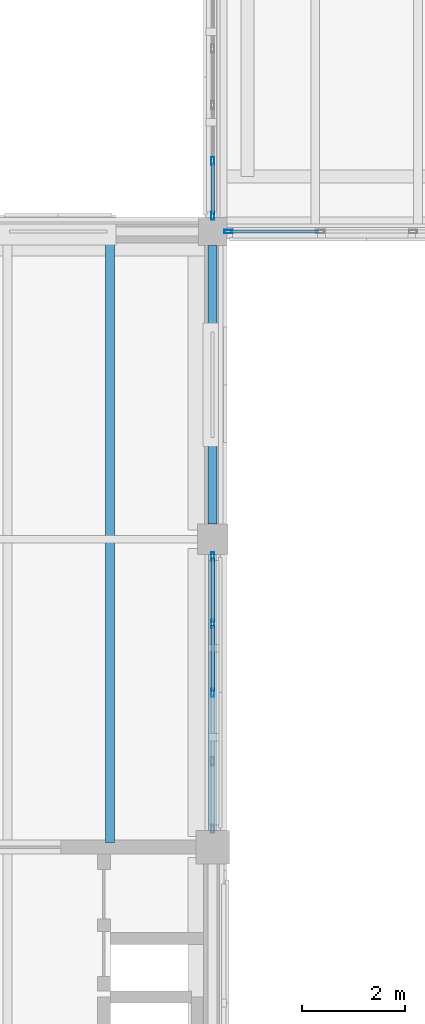
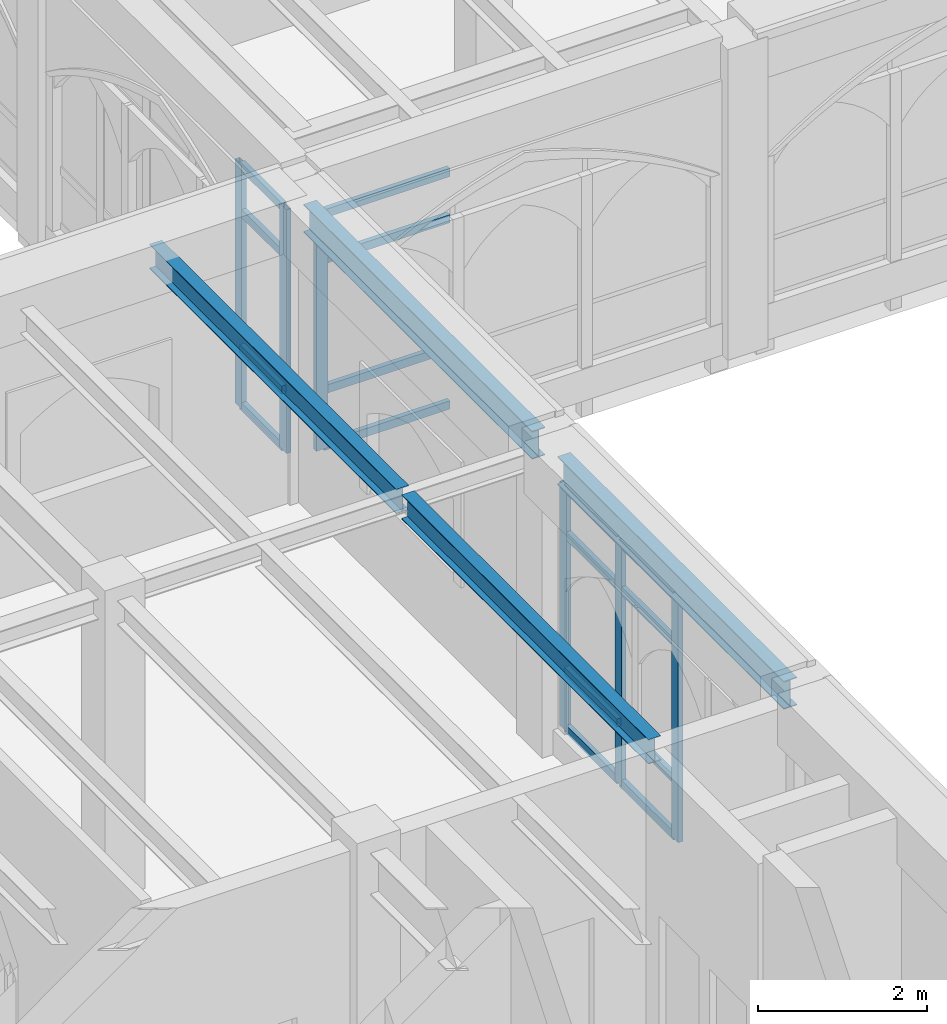
# One storey, part 20 of 143: 22 members, 4 beams, 3 elements without a shape of their own.
"""IFC4 building model written with IfcOpenShell, lengths in metres."""

from ifc_helpers import new_model, si_unit, direction, frame, origin, origin_2d, place, context, subcontext, project, spatial, hollow_rectangle, i_section, extrude, material, layer, layer_set, material_profile, profile_set, type_object, element, aggregate, save


model = new_model("IFC4")

# Units and contexts
model_context = context("Model", 3, precision=1e-05, world=origin(), true_north=direction((0.0, 1.0)))
body_context = subcontext(model_context, "Body", "Model", "MODEL_VIEW")
ifc_project = project(units=[si_unit("LENGTHUNIT", "METRE"), si_unit("AREAUNIT", "SQUARE_METRE"), si_unit("VOLUMEUNIT", "CUBIC_METRE"), si_unit("PLANEANGLEUNIT", "RADIAN"), si_unit("MASSUNIT", "GRAM", prefix="KILO")], contexts=[model_context])

# Site, building, storey
site_placement = place(None, origin())
site = spatial("IfcSite", under=ifc_project, at=site_placement, CompositionType="ELEMENT")
building_placement = place(site_placement, origin())
building = spatial("IfcBuilding", under=site, at=building_placement, Name="Cumevento Cable Car Station", CompositionType="ELEMENT")
storey_placement = place(building_placement, frame((0.0, 0.0, 9.0)))
storey = spatial("IfcBuildingStorey", under=building, at=storey_placement, Name="L03", CompositionType="ELEMENT", Elevation=9.0)

# Curtain wall, members
ifc_material_1 = material(Name="Anodised Bronze Aluminium AW-6063-T6", Category="aluminium")
ifc_layer_1 = layer(ifc_material_1, 0.23193359375)
ifc_layer_set_1 = layer_set([ifc_layer_1], Name="Anodised Bronze Aluminium AW-6063-T6")
curtain_wall_type_1 = type_object("IfcCurtainWallType", Name="Lancet Curtain Wall CW-13 1530", PredefinedType="NOTDEFINED", material=ifc_layer_set_1)
curtain_wall_1_placement = place(storey_placement, origin())
curtain_wall_1 = element("IfcCurtainWall", 1, at=curtain_wall_1_placement, inside=storey, type_object=curtain_wall_type_1, Name="Lancet Curtain Wall CW-13 L03 #92", PredefinedType="NOTDEFINED")
ifc_material_2 = material(Name="Anodised Bronze Aluminium AW-6063-T6", Category="aluminium")
ifc_material_profile_1 = material_profile(ifc_material_2, hollow_rectangle(XDim=0.06494140625, YDim=0.159912109375, WallThickness=0.00390625, at=origin_2d()), Name="ALUM65x160x4")
ifc_profile_set_1 = profile_set([ifc_material_profile_1], Name="Anodised Bronze Aluminium AW-6063-T6")
member_type_1 = type_object("IfcMemberType", Name="Curtain Mullion CWM-01 ALUM65x160x4", PredefinedType="MULLION", material=ifc_profile_set_1)
member_1_placement = place(storey_placement, frame((22.0, 38.66748046875, 0.360107421875), z_axis=(0.0, 0.0, 1.0), x_axis=(1.0, 0.0, 0.0)))
member_1 = element("IfcMember", 2, at=member_1_placement, type_object=member_type_1, Name="CW-13 mullion 1", PredefinedType="MULLION", context=body_context, shape_type="SweptSolid", body=[
    extrude(hollow_rectangle(XDim=0.06494140625, YDim=0.159912109375, WallThickness=0.00390625, at=origin_2d()), origin(), (0.0, 0.0, 1.0), 3.532958984375),
])
member_2_placement = place(storey_placement, frame((22.0, 37.356201171875, 0.360107421875), z_axis=(0.0, 0.0, 1.0), x_axis=(1.0, 0.0, 0.0)))
member_2 = element("IfcMember", 3, at=member_2_placement, type_object=member_type_1, Name="CW-13 mullion 2", PredefinedType="MULLION", context=body_context, shape_type="SweptSolid", body=[
    extrude(hollow_rectangle(XDim=0.06494140625, YDim=0.159912109375, WallThickness=0.00390625, at=origin_2d()), origin(), (0.0, 0.0, 1.0), 3.532958984375),
])
member_3_placement = place(storey_placement, frame((22.0, 36.012451171875, 0.360107421875), z_axis=(0.0, 0.0, 1.0), x_axis=(1.0, 0.0, 0.0)))
member_3 = element("IfcMember", 4, at=member_3_placement, type_object=member_type_1, Name="CW-13 mullion 3", PredefinedType="MULLION", context=body_context, shape_type="SweptSolid", body=[
    extrude(hollow_rectangle(XDim=0.06494140625, YDim=0.159912109375, WallThickness=0.00390625, at=origin_2d()), origin(), (0.0, 0.0, 1.0), 3.532958984375),
])

# Curtain wall, member
ifc_material_3 = material(Name="Anodised Bronze Aluminium AW-6063-T6", Category="aluminium")
ifc_layer_2 = layer(ifc_material_3, 0.243896484375)
ifc_layer_set_2 = layer_set([ifc_layer_2], Name="Anodised Bronze Aluminium AW-6063-T6")
curtain_wall_type_2 = type_object("IfcCurtainWallType", Name="Lancet Curtain Wall CW-15 1610", PredefinedType="NOTDEFINED", material=ifc_layer_set_2)
curtain_wall_2_placement = place(storey_placement, origin())
curtain_wall_2 = element("IfcCurtainWall", 5, at=curtain_wall_2_placement, inside=storey, type_object=curtain_wall_type_2, Name="Lancet Curtain Wall CW-15 L03 #94", PredefinedType="NOTDEFINED")
member_4_placement = place(storey_placement, frame((22.3076171875, 45.0, 0.4599609375), z_axis=(0.0, 0.0, 1.0), x_axis=(0.0, -1.0, 0.0)))
member_4 = element("IfcMember", 6, at=member_4_placement, type_object=member_type_1, Name="CW-15 mullion 4", PredefinedType="MULLION", context=body_context, shape_type="SweptSolid", body=[
    extrude(hollow_rectangle(XDim=0.06494140625, YDim=0.159912109375, WallThickness=0.00390625, at=origin_2d()), origin(), (0.0, 0.0, 1.0), 3.43310546875),
])

# Curtain wall, members
ifc_material_4 = material(Name="Anodised Bronze Aluminium AW-6063-T6", Category="aluminium")
ifc_layer_3 = layer(ifc_material_4, 0.18408203125)
ifc_layer_set_3 = layer_set([ifc_layer_3], Name="Anodised Bronze Aluminium AW-6063-T6")
curtain_wall_type_3 = type_object("IfcCurtainWallType", Name="Lancet Curtain Wall CW-05 1210", PredefinedType="NOTDEFINED", material=ifc_layer_set_3)
curtain_wall_3_placement = place(storey_placement, origin())
curtain_wall_3 = element("IfcCurtainWall", 7, at=curtain_wall_3_placement, inside=storey, type_object=curtain_wall_type_3, Name="Lancet Curtain Wall CW-05 L03 #100", PredefinedType="NOTDEFINED")
member_5_placement = place(storey_placement, frame((22.0, 45.3076171875, 0.360107421875), z_axis=(0.0, 0.0, 1.0), x_axis=(-1.0, 0.0, 0.0)))
member_5 = element("IfcMember", 8, at=member_5_placement, type_object=member_type_1, Name="CW-05 mullion 1", PredefinedType="MULLION", context=body_context, shape_type="SweptSolid", body=[
    extrude(hollow_rectangle(XDim=0.06494140625, YDim=0.159912109375, WallThickness=0.00390625, at=origin_2d()), origin(), (0.0, 0.0, 1.0), 3.532958984375),
])
member_6_placement = place(storey_placement, frame((22.0, 46.3701171875, 0.360107421875), z_axis=(0.0, 0.0, 1.0), x_axis=(-1.0, 0.0, 0.0)))
member_6 = element("IfcMember", 9, at=member_6_placement, type_object=member_type_1, Name="CW-05 mullion 2", PredefinedType="MULLION", context=body_context, shape_type="SweptSolid", body=[
    extrude(hollow_rectangle(XDim=0.06494140625, YDim=0.159912109375, WallThickness=0.00390625, at=origin_2d()), origin(), (0.0, 0.0, 1.0), 3.532958984375),
])

# Member
ifc_material_5 = material(Name="Anodised Bronze Aluminium AW-6063-T6", Category="aluminium")
ifc_material_profile_2 = material_profile(ifc_material_5, hollow_rectangle(XDim=0.06494140625, YDim=0.1201171875, WallThickness=0.00390625, at=origin_2d()), Name="ALUT65x120x4")
ifc_profile_set_2 = profile_set([ifc_material_profile_2], Name="Anodised Bronze Aluminium AW-6063-T6")
member_type_2 = type_object("IfcMemberType", Name="Curtain Transom CWT-01 ALUT65x120x4", PredefinedType="USERDEFINED", material=ifc_profile_set_2)
member_7_placement = place(storey_placement, frame((22.0, 38.635009765625, 0.392578125), z_axis=(0.0, -1.0, 0.0), x_axis=(1.0, 0.0, 0.0)))
member_7 = element("IfcMember", 10, at=member_7_placement, type_object=member_type_2, Name="CW-13 transom 1.1", ObjectType="TRANSOM", PredefinedType="USERDEFINED", context=body_context, shape_type="SweptSolid", body=[
    extrude(hollow_rectangle(XDim=0.06494140625, YDim=0.1201171875, WallThickness=0.00390625, at=origin_2d()), origin(), (0.0, 0.0, 1.0), 1.246337890625),
])

member_8_placement = place(storey_placement, frame((22.0, 38.635009765625, 1.2099609375), z_axis=(0.0, -1.0, 0.0), x_axis=(1.0, 0.0, 0.0)))
member_8 = element("IfcMember", 11, at=member_8_placement, type_object=member_type_2, Name="CW-13 transom 1.2", ObjectType="TRANSOM", PredefinedType="USERDEFINED", context=body_context, shape_type="SweptSolid", body=[
    extrude(hollow_rectangle(XDim=0.06494140625, YDim=0.1201171875, WallThickness=0.00390625, at=origin_2d()), origin(), (0.0, 0.0, 1.0), 1.246337890625),
])

member_9_placement = place(storey_placement, frame((22.0, 38.635009765625, 3.193115234375), z_axis=(0.0, -1.0, 0.0), x_axis=(1.0, 0.0, 0.0)))
member_9 = element("IfcMember", 12, at=member_9_placement, type_object=member_type_2, Name="CW-13 transom 1.3", ObjectType="TRANSOM", PredefinedType="USERDEFINED", context=body_context, shape_type="SweptSolid", body=[
    extrude(hollow_rectangle(XDim=0.06494140625, YDim=0.1201171875, WallThickness=0.00390625, at=origin_2d()), origin(), (0.0, 0.0, 1.0), 1.246337890625),
])

member_10_placement = place(storey_placement, frame((22.0, 38.635009765625, 3.860595703125), z_axis=(0.0, -1.0, 0.0), x_axis=(1.0, 0.0, 0.0)))
member_10 = element("IfcMember", 13, at=member_10_placement, type_object=member_type_2, Name="CW-13 transom 1.4", ObjectType="TRANSOM", PredefinedType="USERDEFINED", context=body_context, shape_type="SweptSolid", body=[
    extrude(hollow_rectangle(XDim=0.06494140625, YDim=0.1201171875, WallThickness=0.00390625, at=origin_2d()), origin(), (0.0, 0.0, 1.0), 1.246337890625),
])

member_11_placement = place(storey_placement, frame((22.0, 37.32373046875, 0.392578125), z_axis=(0.0, -1.0, 0.0), x_axis=(1.0, 0.0, 0.0)))
member_11 = element("IfcMember", 14, at=member_11_placement, type_object=member_type_2, Name="CW-13 transom 2.1", ObjectType="TRANSOM", PredefinedType="USERDEFINED", context=body_context, shape_type="SweptSolid", body=[
    extrude(hollow_rectangle(XDim=0.06494140625, YDim=0.1201171875, WallThickness=0.00390625, at=origin_2d()), origin(), (0.0, 0.0, 1.0), 1.27880859375),
])

member_12_placement = place(storey_placement, frame((22.0, 37.32373046875, 1.2099609375), z_axis=(0.0, -1.0, 0.0), x_axis=(1.0, 0.0, 0.0)))
member_12 = element("IfcMember", 15, at=member_12_placement, type_object=member_type_2, Name="CW-13 transom 2.2", ObjectType="TRANSOM", PredefinedType="USERDEFINED", context=body_context, shape_type="SweptSolid", body=[
    extrude(hollow_rectangle(XDim=0.06494140625, YDim=0.1201171875, WallThickness=0.00390625, at=origin_2d()), origin(), (0.0, 0.0, 1.0), 1.27880859375),
])

member_13_placement = place(storey_placement, frame((22.0, 37.32373046875, 3.193115234375), z_axis=(0.0, -1.0, 0.0), x_axis=(1.0, 0.0, 0.0)))
member_13 = element("IfcMember", 16, at=member_13_placement, type_object=member_type_2, Name="CW-13 transom 2.3", ObjectType="TRANSOM", PredefinedType="USERDEFINED", context=body_context, shape_type="SweptSolid", body=[
    extrude(hollow_rectangle(XDim=0.06494140625, YDim=0.1201171875, WallThickness=0.00390625, at=origin_2d()), origin(), (0.0, 0.0, 1.0), 1.27880859375),
])

member_14_placement = place(storey_placement, frame((22.0, 37.32373046875, 3.860595703125), z_axis=(0.0, -1.0, 0.0), x_axis=(1.0, 0.0, 0.0)))
member_14 = element("IfcMember", 17, at=member_14_placement, type_object=member_type_2, Name="CW-13 transom 2.4", ObjectType="TRANSOM", PredefinedType="USERDEFINED", context=body_context, shape_type="SweptSolid", body=[
    extrude(hollow_rectangle(XDim=0.06494140625, YDim=0.1201171875, WallThickness=0.00390625, at=origin_2d()), origin(), (0.0, 0.0, 1.0), 1.27880859375),
])

aggregate(curtain_wall_1, [member_1, member_2, member_3, member_7, member_8, member_9, member_10, member_11, member_12, member_13, member_14])

member_15_placement = place(storey_placement, frame((24.05908203125, 45.0, 0.492431640625), z_axis=(-1.0, 0.0, 0.0), x_axis=(0.0, -1.0, 0.0)))
member_15 = element("IfcMember", 18, at=member_15_placement, type_object=member_type_2, Name="CW-15 transom 3.1", ObjectType="TRANSOM", PredefinedType="USERDEFINED", context=body_context, shape_type="SweptSolid", body=[
    extrude(hollow_rectangle(XDim=0.06494140625, YDim=0.1201171875, WallThickness=0.00390625, at=origin_2d()), origin(), (0.0, 0.0, 1.0), 1.718994140625),
])

member_16_placement = place(storey_placement, frame((24.05908203125, 45.0, 1.31005859375), z_axis=(-1.0, 0.0, 0.0), x_axis=(0.0, -1.0, 0.0)))
member_16 = element("IfcMember", 19, at=member_16_placement, type_object=member_type_2, Name="CW-15 transom 3.2", ObjectType="TRANSOM", PredefinedType="USERDEFINED", context=body_context, shape_type="SweptSolid", body=[
    extrude(hollow_rectangle(XDim=0.06494140625, YDim=0.1201171875, WallThickness=0.00390625, at=origin_2d()), origin(), (0.0, 0.0, 1.0), 1.718994140625),
])

member_17_placement = place(storey_placement, frame((24.05908203125, 45.0, 3.193115234375), z_axis=(-1.0, 0.0, 0.0), x_axis=(0.0, -1.0, 0.0)))
member_17 = element("IfcMember", 20, at=member_17_placement, type_object=member_type_2, Name="CW-15 transom 3.3", ObjectType="TRANSOM", PredefinedType="USERDEFINED", context=body_context, shape_type="SweptSolid", body=[
    extrude(hollow_rectangle(XDim=0.06494140625, YDim=0.1201171875, WallThickness=0.00390625, at=origin_2d()), origin(), (0.0, 0.0, 1.0), 1.718994140625),
])

member_18_placement = place(storey_placement, frame((24.05908203125, 45.0, 3.860595703125), z_axis=(-1.0, 0.0, 0.0), x_axis=(0.0, -1.0, 0.0)))
member_18 = element("IfcMember", 21, at=member_18_placement, type_object=member_type_2, Name="CW-15 transom 3.4", ObjectType="TRANSOM", PredefinedType="USERDEFINED", context=body_context, shape_type="SweptSolid", body=[
    extrude(hollow_rectangle(XDim=0.06494140625, YDim=0.1201171875, WallThickness=0.00390625, at=origin_2d()), origin(), (0.0, 0.0, 1.0), 1.718994140625),
])

aggregate(curtain_wall_2, [member_4, member_15, member_16, member_17, member_18])

member_19_placement = place(storey_placement, frame((22.0, 45.340087890625, 0.392578125), z_axis=(0.0, 1.0, 0.0), x_axis=(-1.0, 0.0, 0.0)))
member_19 = element("IfcMember", 22, at=member_19_placement, type_object=member_type_2, Name="CW-05 transom 1.1", ObjectType="TRANSOM", PredefinedType="USERDEFINED", context=body_context, shape_type="SweptSolid", body=[
    extrude(hollow_rectangle(XDim=0.06494140625, YDim=0.1201171875, WallThickness=0.00390625, at=origin_2d()), origin(), (0.0, 0.0, 1.0), 0.997314453125),
])

member_20_placement = place(storey_placement, frame((22.0, 45.340087890625, 1.2099609375), z_axis=(0.0, 1.0, 0.0), x_axis=(-1.0, 0.0, 0.0)))
member_20 = element("IfcMember", 23, at=member_20_placement, type_object=member_type_2, Name="CW-05 transom 1.2", ObjectType="TRANSOM", PredefinedType="USERDEFINED", context=body_context, shape_type="SweptSolid", body=[
    extrude(hollow_rectangle(XDim=0.06494140625, YDim=0.1201171875, WallThickness=0.00390625, at=origin_2d()), origin(), (0.0, 0.0, 1.0), 0.997314453125),
])

member_21_placement = place(storey_placement, frame((22.0, 45.340087890625, 3.193115234375), z_axis=(0.0, 1.0, 0.0), x_axis=(-1.0, 0.0, 0.0)))
member_21 = element("IfcMember", 24, at=member_21_placement, type_object=member_type_2, Name="CW-05 transom 1.3", ObjectType="TRANSOM", PredefinedType="USERDEFINED", context=body_context, shape_type="SweptSolid", body=[
    extrude(hollow_rectangle(XDim=0.06494140625, YDim=0.1201171875, WallThickness=0.00390625, at=origin_2d()), origin(), (0.0, 0.0, 1.0), 0.997314453125),
])

member_22_placement = place(storey_placement, frame((22.0, 45.340087890625, 3.860595703125), z_axis=(0.0, 1.0, 0.0), x_axis=(-1.0, 0.0, 0.0)))
member_22 = element("IfcMember", 25, at=member_22_placement, type_object=member_type_2, Name="CW-05 transom 1.4", ObjectType="TRANSOM", PredefinedType="USERDEFINED", context=body_context, shape_type="SweptSolid", body=[
    extrude(hollow_rectangle(XDim=0.06494140625, YDim=0.1201171875, WallThickness=0.00390625, at=origin_2d()), origin(), (0.0, 0.0, 1.0), 0.997314453125),
])

aggregate(curtain_wall_3, [member_5, member_6, member_19, member_20, member_21, member_22])

# Beams
ifc_material_6 = material(Name="Steel ASTM A572 Grade 50", Category="steel")
ifc_material_profile_3 = material_profile(ifc_material_6, i_section(OverallWidth=0.1708984375, OverallDepth=0.35498046875, WebThickness=0.007080078125, FlangeThickness=0.01171875, at=origin_2d()), Name="W360x51.0")
ifc_profile_set_3 = profile_set([ifc_material_profile_3], Name="Steel ASTM A572 Grade 50")
beam_type_1 = type_object("IfcBeamType", Name="Structural Joist JS-01 W360x51.0", PredefinedType="JOIST", material=ifc_profile_set_3)
beam_1_placement = place(storey_placement, frame((20.0, 33.083984375, 4.12255859375), z_axis=(0.0, 1.0, 0.0), x_axis=(-1.0, 0.0, 0.0)))
element("IfcBeam", 26, at=beam_1_placement, inside=storey, type_object=beam_type_1, Name="Composite Floor Joist JS-01 L03 #1216", PredefinedType="JOIST", context=body_context, shape_type="SweptSolid", body=[
    extrude(i_section(OverallWidth=0.1708984375, OverallDepth=0.35498046875, WebThickness=0.007080078125, FlangeThickness=0.01171875, at=origin_2d()), origin(), (0.0, 0.0, 1.0), 5.85400390625),
])
beam_2_placement = place(storey_placement, frame((20.0, 39.06201171875, 4.12255859375), z_axis=(0.0, 1.0, 0.0), x_axis=(-1.0, 0.0, 0.0)))
element("IfcBeam", 27, at=beam_2_placement, inside=storey, type_object=beam_type_1, Name="Composite Floor Joist JS-01 L03 #1217", PredefinedType="JOIST", context=body_context, shape_type="SweptSolid", body=[
    extrude(i_section(OverallWidth=0.1708984375, OverallDepth=0.35498046875, WebThickness=0.007080078125, FlangeThickness=0.01171875, at=origin_2d()), origin(), (0.0, 0.0, 1.0), 5.861083984375),
])
ifc_material_7 = material(Name="Steel ASTM A572 Grade 50", Category="steel")
ifc_material_profile_4 = material_profile(ifc_material_7, i_section(OverallWidth=0.177978515625, OverallDepth=0.406982421875, WebThickness=0.0078125, FlangeThickness=0.0126953125, at=origin_2d()), Name="W410x60.0")
ifc_profile_set_4 = profile_set([ifc_material_profile_4], Name="Steel ASTM A572 Grade 50")
beam_type_2 = type_object("IfcBeamType", Name="Structural Spandrel SP-01 W410x60.0", PredefinedType="SPANDREL", material=ifc_profile_set_4)
beam_3_placement = place(storey_placement, frame((22.0, 33.324951171875, 4.096435546875), z_axis=(0.0, 1.0, 0.0), x_axis=(-1.0, 0.0, 0.0)))
element("IfcBeam", 28, at=beam_3_placement, inside=storey, type_object=beam_type_2, Name="Beam SP-01 L03 #1019", PredefinedType="SPANDREL", context=body_context, shape_type="SweptSolid", body=[
    extrude(i_section(OverallWidth=0.177978515625, OverallDepth=0.406982421875, WebThickness=0.0078125, FlangeThickness=0.0126953125, at=origin_2d()), origin(), (0.0, 0.0, 1.0), 5.375),
])
beam_4_placement = place(storey_placement, frame((22.0, 39.300048828125, 4.096435546875), z_axis=(0.0, 1.0, 0.0), x_axis=(-1.0, 0.0, 0.0)))
element("IfcBeam", 29, at=beam_4_placement, inside=storey, type_object=beam_type_2, Name="Beam SP-01 L03 #1020", PredefinedType="SPANDREL", context=body_context, shape_type="SweptSolid", body=[
    extrude(i_section(OverallWidth=0.177978515625, OverallDepth=0.406982421875, WebThickness=0.0078125, FlangeThickness=0.0126953125, at=origin_2d()), origin(), (0.0, 0.0, 1.0), 5.425048828125),
])

save(model, "model.ifc")
